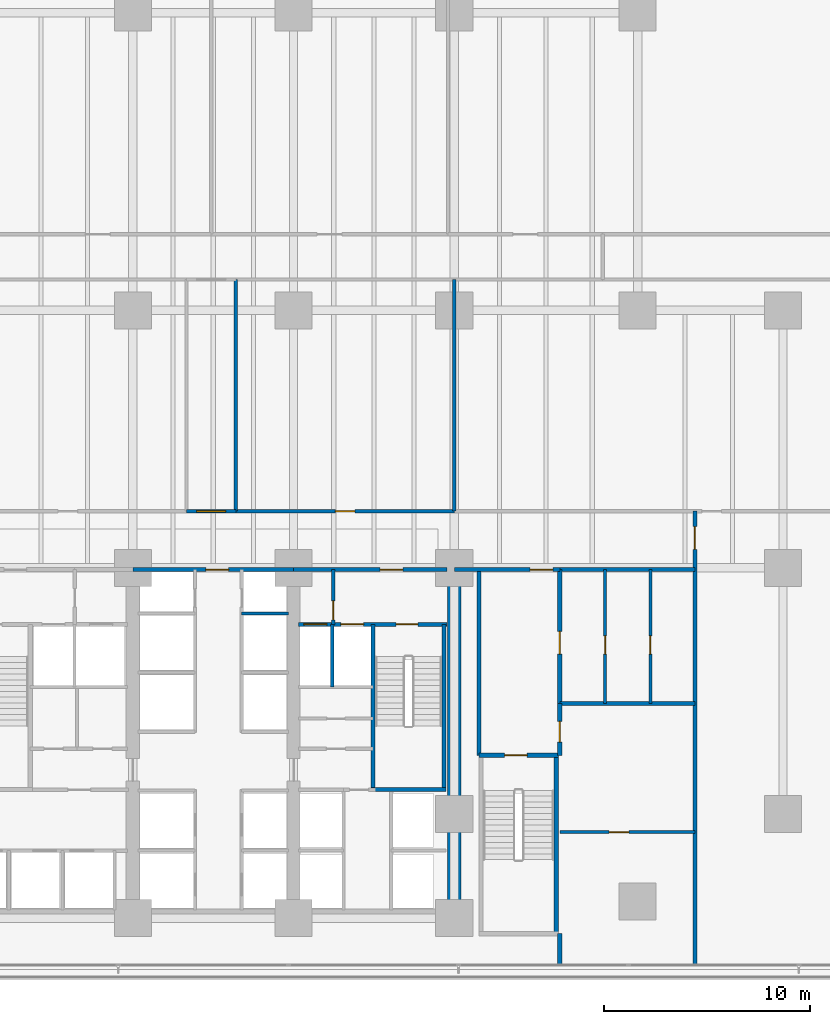
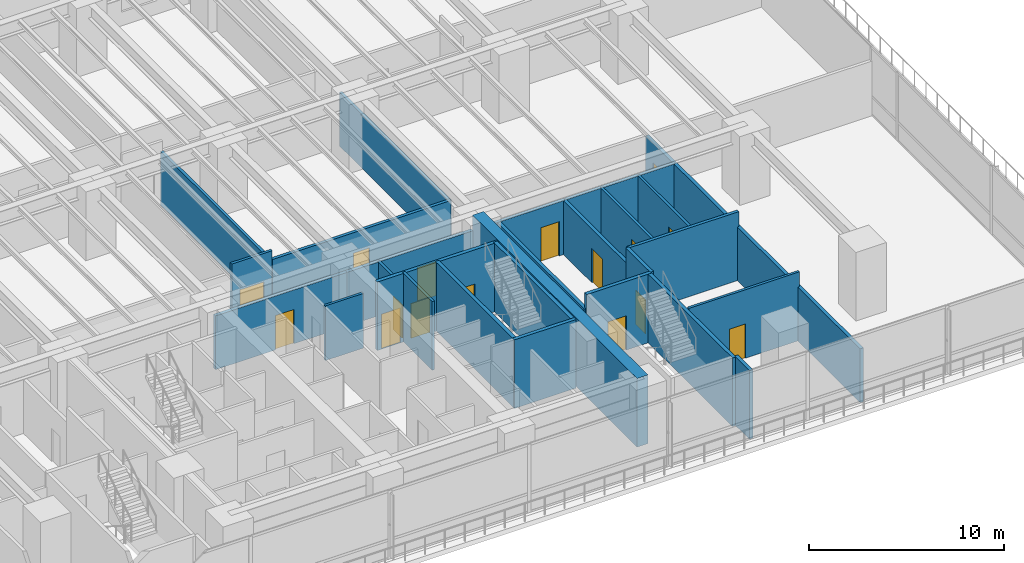
# One storey, part 11 of 24: 27 walls, 16 doors, 16 openings.
"""IFC4 building model written with IfcOpenShell, lengths in metres."""

from ifc_helpers import new_model, si_unit, direction, frame, frame_2d, origin, place, context, subcontext, project, spatial, rectangle, extrude, material, layer, layer_set, type_object, element, fill, save


model = new_model("IFC4")

# Units and contexts
model_context = context("Model", 3, precision=1e-05, world=origin(), true_north=direction((0.0, 1.0)))
body_context = subcontext(model_context, "Body", "Model", "MODEL_VIEW")
ifc_project = project(units=[si_unit("LENGTHUNIT", "METRE"), si_unit("AREAUNIT", "SQUARE_METRE"), si_unit("VOLUMEUNIT", "CUBIC_METRE"), si_unit("PLANEANGLEUNIT", "RADIAN"), si_unit("MASSUNIT", "GRAM", prefix="KILO")], contexts=[model_context])

# Site, building, storey
site_placement = place(None, origin())
site = spatial("IfcSite", under=ifc_project, at=site_placement, CompositionType="ELEMENT")
building_placement = place(site_placement, origin())
building = spatial("IfcBuilding", under=site, at=building_placement, Name="Qalmaran Belvedere Hotel", CompositionType="ELEMENT")
storey_placement = place(building_placement, frame((0.0, 0.0, 14.60009765625)))
storey = spatial("IfcBuildingStorey", under=building, at=storey_placement, Name="L03", CompositionType="ELEMENT", Elevation=14.60009765625)

# Walls
ifc_material_1 = material(Name="Concrete C60/75", Category="concrete")
ifc_layer_1 = layer(ifc_material_1, 0.64990234375, Name="Concrete C60/75")
ifc_layer_set_1 = layer_set([ifc_layer_1], Name="Concrete C60/75")
wall_type_1 = type_object("IfcWallType", Name="WL-CORE-650-C60", PredefinedType="SHEAR", material=ifc_layer_set_1)
wall_1_placement = place(storey_placement, frame((44.800048828125, 3.5, 0.0), z_axis=(0.0, 0.0, 1.0), x_axis=(0.0, 1.0, 0.0)))
element("IfcWall", 1, at=wall_1_placement, inside=storey, type_object=wall_type_1, Name="L03 East Core Shear Wall", PredefinedType="SHEAR", context=body_context, shape_type="SweptSolid", body=[
    extrude(rectangle(XDim=16.89990234375, YDim=0.64990234375, at=frame_2d((8.449951171875, 0.0))), origin(), (0.0, 0.0, 1.0), 4.2998046875),
])
ifc_material_2 = material(Name="Gypsum Stud Partition")
ifc_layer_2 = layer(ifc_material_2, 0.14990234375, Name="Gypsum Stud Partition")
ifc_layer_set_2 = layer_set([ifc_layer_2], Name="Gypsum Stud Partition")
wall_type_2 = type_object("IfcWallType", Name="WL-INT-150-EI120", PredefinedType="PARTITIONING", material=ifc_layer_set_2)
wall_2_placement = place(storey_placement, frame((38.8798828125, 14.719970703125, 0.0), z_axis=(0.0, 0.0, 1.0), x_axis=(0.0, 1.0, 0.0)))
element("IfcWall", 2, at=wall_2_placement, inside=storey, type_object=wall_type_2, Name="L03 Partition WL-FF2M-L03", PredefinedType="PARTITIONING", context=body_context, shape_type="SweptSolid", body=[
    extrude(rectangle(XDim=3.0400390625, YDim=0.14990234375, at=frame_2d((1.52001953125, 0.0))), origin(), (0.0, 0.0, 1.0), 4.2998046875),
])
wall_3_placement = place(storey_placement, frame((34.47998046875, 18.280029296875, 0.0), z_axis=(0.0, 0.0, 1.0), x_axis=(1.0, 0.0, 0.0)))
element("IfcWall", 3, at=wall_3_placement, inside=storey, type_object=wall_type_2, Name="L03 Partition WL-PME-L03-182", PredefinedType="PARTITIONING", context=body_context, shape_type="SweptSolid", body=[
    extrude(rectangle(XDim=2.27001953125, YDim=0.14990234375, at=frame_2d((1.135009765625, 0.0))), origin(), (0.0, 0.0, 1.0), 3.429931640625),
])

# Wall, opening, door
ifc_layer_3 = layer(ifc_material_2, 0.14990234375, Name="Gypsum Stud Partition")
ifc_layer_set_3 = layer_set([ifc_layer_3], Name="Gypsum Stud Partition")
wall_type_3 = type_object("IfcWallType", Name="WL-INT-150-EI60", PredefinedType="PARTITIONING", material=ifc_layer_set_3)
wall_4_placement = place(storey_placement, frame((52.1201171875, 13.919921875, 0.0), z_axis=(0.0, 0.0, 1.0), x_axis=(0.0, 1.0, 0.0)))
wall_4 = element("IfcWall", 4, at=wall_4_placement, inside=storey, type_object=wall_type_3, Name="L03 Partition WL-L03-FCCV1", PredefinedType="PARTITIONING", context=body_context, shape_type="SweptSolid", body=[
    extrude(rectangle(XDim=6.5, YDim=0.14990234375, at=frame_2d((3.25, 0.0))), origin(), (0.0, 0.0, 1.0), 3.372802734375),
])
opening_1_placement = place(wall_4_placement, frame((2.39990234375, 0.0, 0.0)))
opening_1 = element("IfcOpeningElement", 5, at=opening_1_placement, cuts=wall_4, Name="Opening FD60B", PredefinedType="OPENING", context=body_context, shape_type="SweptSolid", body=[
    extrude(rectangle(XDim=0.8798828125, YDim=2.080078125, at=frame_2d((0.43994140625, 1.0400390625))), frame((0.0, 0.0849609375, 0.0), z_axis=(0.0, -1.0, 0.0), x_axis=(1.0, 0.0, 0.0)), (0.0, 0.0, 1.0), 0.169921875),
])
ifc_material_3 = material(Name="Steel S355JR", Category="steel")
door_type_1 = type_object("IfcDoorType", Name="DR-FD60B-880X2080", OperationType="NOTDEFINED", PredefinedType="DOOR", material=ifc_material_3)
door_1_placement = place(opening_1_placement, origin())
door_1 = element("IfcDoor", 6, at=door_1_placement, inside=storey, type_object=door_type_1, Name="L03 Equipment Store Door", OperationType="SINGLE_SWING_LEFT", OverallHeight=2.080078125, OverallWidth=0.8798828125, PredefinedType="DOOR", context=body_context, shape_type="SweptSolid", body=[
    extrude(rectangle(XDim=0.8798828125, YDim=2.080078125, at=frame_2d((0.43994140625, 1.0400390625))), frame((0.0, 0.02490234375, 0.0), z_axis=(0.0, -1.0, 0.0), x_axis=(1.0, 0.0, 0.0)), (0.0, 0.0, 1.0), 0.050048828125),
])
fill(opening_1, door_1)

wall_5_placement = place(storey_placement, frame((54.320068359375, 13.919921875, 0.0), z_axis=(0.0, 0.0, 1.0), x_axis=(0.0, 1.0, 0.0)))
wall_5 = element("IfcWall", 7, at=wall_5_placement, inside=storey, type_object=wall_type_3, Name="L03 Partition WL-L03-FCCV2", PredefinedType="PARTITIONING", context=body_context, shape_type="SweptSolid", body=[
    extrude(rectangle(XDim=6.5, YDim=0.14990234375, at=frame_2d((3.25, 0.0))), origin(), (0.0, 0.0, 1.0), 3.372802734375),
])
opening_2_placement = place(wall_5_placement, frame((2.39990234375, 0.0, 0.0)))
opening_2 = element("IfcOpeningElement", 8, at=opening_2_placement, cuts=wall_5, Name="Opening FD60B", PredefinedType="OPENING", context=body_context, shape_type="SweptSolid", body=[
    extrude(rectangle(XDim=0.8798828125, YDim=2.080078125, at=frame_2d((0.43994140625, 1.0400390625))), frame((0.0, 0.0849609375, 0.0), z_axis=(0.0, -1.0, 0.0), x_axis=(1.0, 0.0, 0.0)), (0.0, 0.0, 1.0), 0.169921875),
])
door_2_placement = place(opening_2_placement, origin())
door_2 = element("IfcDoor", 9, at=door_2_placement, inside=storey, type_object=door_type_1, Name="L03 AV Store Door", OperationType="SINGLE_SWING_RIGHT", OverallHeight=2.080078125, OverallWidth=0.8798828125, PredefinedType="DOOR", context=body_context, shape_type="SweptSolid", body=[
    extrude(rectangle(XDim=0.8798828125, YDim=2.080078125, at=frame_2d((0.43994140625, 1.0400390625))), frame((0.0, 0.02490234375, 0.0), z_axis=(0.0, -1.0, 0.0), x_axis=(1.0, 0.0, 0.0)), (0.0, 0.0, 1.0), 0.050048828125),
])
fill(opening_2, door_2)

wall_6_placement = place(storey_placement, frame((49.919921875, 7.679931640625, 0.0), z_axis=(0.0, 0.0, 1.0), x_axis=(1.0, 0.0, 0.0)))
wall_6 = element("IfcWall", 10, at=wall_6_placement, inside=storey, type_object=wall_type_3, Name="L03 Partition WL-L03-KITH", PredefinedType="PARTITIONING", context=body_context, shape_type="SweptSolid", body=[
    extrude(rectangle(XDim=6.56005859375, YDim=0.14990234375, at=frame_2d((3.280029296875, 0.0))), origin(), (0.0, 0.0, 1.0), 4.2998046875),
])
opening_3_placement = place(wall_6_placement, frame((3.349853515625, 0.0, 0.0), z_axis=(0.0, 0.0, 1.0), x_axis=(-1.0, 0.0, 0.0)))
opening_3 = element("IfcOpeningElement", 11, at=opening_3_placement, cuts=wall_6, Name="Opening FD60", PredefinedType="OPENING", context=body_context, shape_type="SweptSolid", body=[
    extrude(rectangle(XDim=0.949951171875, YDim=2.14990234375, at=frame_2d((0.47509765625, 1.074951171875))), frame((0.0, 0.0849609375, 0.0), z_axis=(0.0, -1.0, 0.0), x_axis=(1.0, 0.0, 0.0)), (0.0, 0.0, 1.0), 0.169921875),
])
ifc_material_4 = material(Name="Engineered Oak Veneer")
door_type_2 = type_object("IfcDoorType", Name="DR-FD60-950X2150", OperationType="NOTDEFINED", PredefinedType="DOOR", material=ifc_material_4)
door_3_placement = place(opening_3_placement, origin())
door_3 = element("IfcDoor", 12, at=door_3_placement, inside=storey, type_object=door_type_2, Name="L03 Pastry Kitchen Door", OperationType="SINGLE_SWING_LEFT", OverallHeight=2.14990234375, OverallWidth=0.949951171875, PredefinedType="DOOR", context=body_context, shape_type="SweptSolid", body=[
    extrude(rectangle(XDim=0.949951171875, YDim=2.14990234375, at=frame_2d((0.47509765625, 1.074951171875))), frame((0.0, 0.02490234375, 0.0), z_axis=(0.0, -1.0, 0.0), x_axis=(1.0, 0.0, 0.0)), (0.0, 0.0, 1.0), 0.050048828125),
])
fill(opening_3, door_3)

ifc_layer_4 = layer(ifc_material_2, 0.159912109375, Name="Gypsum Stud Partition")
ifc_layer_set_4 = layer_set([ifc_layer_4], Name="Gypsum Stud Partition")
wall_type_4 = type_object("IfcWallType", Name="WL-INT-160-EI120", PredefinedType="PARTITIONING", material=ifc_layer_set_4)
wall_7_placement = place(storey_placement, frame((38.919921875, 17.760009765625, 0.0), z_axis=(0.0, 0.0, 1.0), x_axis=(0.0, 1.0, 0.0)))
wall_7 = element("IfcWall", 13, at=wall_7_placement, inside=storey, type_object=wall_type_4, Name="L03 Partition WL-FFSV2-L03", PredefinedType="PARTITIONING", context=body_context, shape_type="SweptSolid", body=[
    extrude(rectangle(XDim=2.659912109375, YDim=0.159912109375, at=frame_2d((1.330078125, 0.0))), origin(), (0.0, 0.0, 1.0), 3.372802734375),
])
opening_4_placement = place(wall_7_placement, frame((1.139892578125, 0.0, 0.0), z_axis=(0.0, 0.0, 1.0), x_axis=(-1.0, 0.0, 0.0)))
opening_4 = element("IfcOpeningElement", 14, at=opening_4_placement, cuts=wall_7, Name="Opening FD60S1", PredefinedType="OPENING", context=body_context, shape_type="SweptSolid", body=[
    extrude(rectangle(XDim=0.919921875, YDim=2.080078125, at=frame_2d((0.4599609375, 1.0400390625))), frame((0.0, 0.08984375, 0.0), z_axis=(0.0, -1.0, 0.0), x_axis=(1.0, 0.0, 0.0)), (0.0, 0.0, 1.0), 0.179931640625),
])
door_type_3 = type_object("IfcDoorType", Name="DR-FD60S-920X2080", OperationType="NOTDEFINED", PredefinedType="DOOR", material=ifc_material_4)
door_4_placement = place(opening_4_placement, origin())
door_4 = element("IfcDoor", 15, at=door_4_placement, inside=storey, type_object=door_type_3, Name="L03 Service Lobby East Door", OperationType="SINGLE_SWING_LEFT", OverallHeight=2.080078125, OverallWidth=0.919921875, PredefinedType="DOOR", context=body_context, shape_type="SweptSolid", body=[
    extrude(rectangle(XDim=0.919921875, YDim=2.080078125, at=frame_2d((0.4599609375, 1.0400390625))), frame((0.0, 0.02490234375, 0.0), z_axis=(0.0, -1.0, 0.0), x_axis=(1.0, 0.0, 0.0)), (0.0, 0.0, 1.0), 0.050048828125),
])
fill(opening_4, door_4)

ifc_layer_5 = layer(ifc_material_2, 0.159912109375, Name="Gypsum Stud Partition")
ifc_layer_set_5 = layer_set([ifc_layer_5], Name="Gypsum Stud Partition")
wall_type_5 = type_object("IfcWallType", Name="WL-INT-160-EI60", PredefinedType="PARTITIONING", material=ifc_layer_set_5)
wall_8_placement = place(storey_placement, frame((31.800048828125, 23.25, 0.0), z_axis=(0.0, 0.0, 1.0), x_axis=(1.0, 0.0, 0.0)))
wall_8 = element("IfcWall", 16, at=wall_8_placement, inside=storey, type_object=wall_type_5, Name="L03 Partition WL-L03-NALS", PredefinedType="PARTITIONING", context=body_context, shape_type="SweptSolid", body=[
    extrude(rectangle(XDim=2.39990234375, YDim=0.159912109375, at=frame_2d((1.199951171875, 0.0))), origin(), (0.0, 0.0, 1.0), 3.98193359375),
])
opening_5_placement = place(wall_8_placement, frame((0.5, 0.0, 0.0)))
opening_5 = element("IfcOpeningElement", 17, at=opening_5_placement, cuts=wall_8, Name="Opening FD90D", PredefinedType="OPENING", context=body_context, shape_type="SweptSolid", body=[
    extrude(rectangle(XDim=1.39990234375, YDim=2.199951171875, at=frame_2d((0.699951171875, 1.10009765625))), frame((0.0, 0.08984375, 0.0), z_axis=(0.0, -1.0, 0.0), x_axis=(1.0, 0.0, 0.0)), (0.0, 0.0, 1.0), 0.179931640625),
])
door_type_4 = type_object("IfcDoorType", Name="DR-FD90D-1400X2200", OperationType="NOTDEFINED", PredefinedType="DOOR", material=ifc_material_3)
door_5_placement = place(opening_5_placement, origin())
door_5 = element("IfcDoor", 18, at=door_5_placement, inside=storey, type_object=door_type_4, Name="L03 Atrium Link South Door", OperationType="DOUBLE_DOOR_SINGLE_SWING", OverallHeight=2.199951171875, OverallWidth=1.39990234375, PredefinedType="DOOR", context=body_context, shape_type="SweptSolid", body=[
    extrude(rectangle(XDim=1.39990234375, YDim=2.199951171875, at=frame_2d((0.699951171875, 1.10009765625))), frame((0.0, 0.02490234375, 0.0), z_axis=(0.0, -1.0, 0.0), x_axis=(1.0, 0.0, 0.0)), (0.0, 0.0, 1.0), 0.050048828125),
])
fill(opening_5, door_5)

# Walls
for number, where, z_axis, x_axis, name in (
    (19, (34.199951171875, 23.25, 0.0), (0.0, 0.0, 1.0), (0.0, 1.0, 0.0), "L03 Partition WL-L03-PMEVL"),
    (20, (44.800048828125, 23.25, 0.0), (0.0, 0.0, 1.0), (0.0, 1.0, 0.0), "L03 Partition WL-L03-PMEVR1"),
):
    element("IfcWall", number, at=place(storey_placement, frame(where, z_axis=z_axis, x_axis=x_axis)), inside=storey, type_object=wall_type_5, Name=name, PredefinedType="PARTITIONING", context=body_context, shape_type="SweptSolid", body=[
        extrude(rectangle(XDim=11.25, YDim=0.159912109375, at=frame_2d((5.625, 0.0))), origin(), (0.0, 0.0, 1.0), 3.372802734375),
    ])
ifc_layer_6 = layer(ifc_material_2, 0.179931640625, Name="Gypsum Stud Partition")
ifc_layer_set_6 = layer_set([ifc_layer_6], Name="Gypsum Stud Partition")
wall_type_6 = type_object("IfcWallType", Name="WL-INT-180-EI120", PredefinedType="PARTITIONING", material=ifc_layer_set_6)
wall_9_placement = place(storey_placement, frame((49.919921875, 13.919921875, 0.0), z_axis=(0.0, 0.0, 1.0), x_axis=(1.0, 0.0, 0.0)))
element("IfcWall", 21, at=wall_9_placement, inside=storey, type_object=wall_type_6, Name="L03 Partition WL-L03-FCCH", PredefinedType="PARTITIONING", context=body_context, shape_type="SweptSolid", body=[
    extrude(rectangle(XDim=6.56005859375, YDim=0.179931640625, at=frame_2d((3.280029296875, 0.0))), origin(), (0.0, 0.0, 1.0), 4.2998046875),
])

# Wall, opening, door
ifc_layer_7 = layer(ifc_material_2, 0.179931640625, Name="Gypsum Stud Partition")
ifc_layer_set_7 = layer_set([ifc_layer_7], Name="Gypsum Stud Partition")
wall_type_7 = type_object("IfcWallType", Name="WL-INT-180-EI60", PredefinedType="PARTITIONING", material=ifc_layer_set_7)
wall_10_placement = place(storey_placement, frame((34.199951171875, 23.25, 0.0), z_axis=(0.0, 0.0, 1.0), x_axis=(1.0, 0.0, 0.0)))
wall_10 = element("IfcWall", 22, at=wall_10_placement, inside=storey, type_object=wall_type_7, Name="L03 Partition WL-L03-PMED1", PredefinedType="PARTITIONING", context=body_context, shape_type="SweptSolid", body=[
    extrude(rectangle(XDim=10.60009765625, YDim=0.179931640625, at=frame_2d((5.300048828125, 0.0))), origin(), (0.0, 0.0, 1.0), 3.429931640625),
])
opening_6_placement = place(wall_10_placement, frame((4.824951171875, 0.0, 0.0)))
opening_6 = element("IfcOpeningElement", 23, at=opening_6_placement, cuts=wall_10, Name="Opening FD60", PredefinedType="OPENING", context=body_context, shape_type="SweptSolid", body=[
    extrude(rectangle(XDim=0.949951171875, YDim=2.14990234375, at=frame_2d((0.47509765625, 1.074951171875))), frame((0.0, 0.10009765625, 0.0), z_axis=(0.0, -1.0, 0.0), x_axis=(1.0, 0.0, 0.0)), (0.0, 0.0, 1.0), 0.199951171875),
])
door_6_placement = place(opening_6_placement, origin())
door_6 = element("IfcDoor", 24, at=door_6_placement, inside=storey, type_object=door_type_2, Name="L03 Diplomatic Banquet Hall Door", OperationType="SINGLE_SWING_RIGHT", OverallHeight=2.14990234375, OverallWidth=0.949951171875, PredefinedType="DOOR", context=body_context, shape_type="SweptSolid", body=[
    extrude(rectangle(XDim=0.949951171875, YDim=2.14990234375, at=frame_2d((0.47509765625, 1.074951171875))), frame((0.0, 0.02490234375, 0.0), z_axis=(0.0, -1.0, 0.0), x_axis=(1.0, 0.0, 0.0)), (0.0, 0.0, 1.0), 0.050048828125),
])
fill(opening_6, door_6)

ifc_material_5 = material(Name="Concrete C30/37 Blockwork", Category="masonry")
ifc_layer_8 = layer(ifc_material_5, 0.199951171875, Name="Concrete C30/37 Blockwork")
ifc_layer_set_8 = layer_set([ifc_layer_8], Name="Concrete C30/37 Blockwork")
wall_type_8 = type_object("IfcWallType", Name="WL-INT-200-EI120", PredefinedType="PARTITIONING", material=ifc_layer_set_8)
wall_11_placement = place(storey_placement, frame((29.199951171875, 20.419921875, 0.0), z_axis=(0.0, 0.0, 1.0), x_axis=(1.0, 0.0, 0.0)))
wall_11 = element("IfcWall", 25, at=wall_11_placement, inside=storey, type_object=wall_type_8, Name="L03 Partition WL-CN2-L03", PredefinedType="PARTITIONING", context=body_context, shape_type="SweptSolid", body=[
    extrude(rectangle(XDim=7.800048828125, YDim=0.199951171875, at=frame_2d((3.89990234375, 0.0))), origin(), (0.0, 0.0, 1.0), 3.372802734375),
])
opening_7_placement = place(wall_11_placement, frame((3.550048828125, 0.0, 0.0)))
opening_7 = element("IfcOpeningElement", 26, at=opening_7_placement, cuts=wall_11, Name="Opening FD90", PredefinedType="OPENING", context=body_context, shape_type="SweptSolid", body=[
    extrude(rectangle(XDim=1.10009765625, YDim=2.14990234375, at=frame_2d((0.550048828125, 1.074951171875))), frame((0.0, 0.10986328125, 0.0), z_axis=(0.0, -1.0, 0.0), x_axis=(1.0, 0.0, 0.0)), (0.0, 0.0, 1.0), 0.219970703125),
])
door_type_5 = type_object("IfcDoorType", Name="DR-FD90-1100X2150", OperationType="NOTDEFINED", PredefinedType="DOOR", material=ifc_material_3)
door_7_placement = place(opening_7_placement, origin())
door_7 = element("IfcDoor", 27, at=door_7_placement, inside=storey, type_object=door_type_5, Name="L03 Central Lift Lobby Door", OperationType="SINGLE_SWING_LEFT", OverallHeight=2.14990234375, OverallWidth=1.10009765625, PredefinedType="DOOR", context=body_context, shape_type="SweptSolid", body=[
    extrude(rectangle(XDim=1.10009765625, YDim=2.14990234375, at=frame_2d((0.550048828125, 1.074951171875))), frame((0.0, 0.02490234375, 0.0), z_axis=(0.0, -1.0, 0.0), x_axis=(1.0, 0.0, 0.0)), (0.0, 0.0, 1.0), 0.050048828125),
])
fill(opening_7, door_7)

wall_12_placement = place(storey_placement, frame((37.0, 20.419921875, 0.0), z_axis=(0.0, 0.0, 1.0), x_axis=(1.0, 0.0, 0.0)))
wall_12 = element("IfcWall", 28, at=wall_12_placement, inside=storey, type_object=wall_type_8, Name="L03 Partition WL-CN3-L03", PredefinedType="PARTITIONING", context=body_context, shape_type="SweptSolid", body=[
    extrude(rectangle(XDim=7.449951171875, YDim=0.199951171875, at=frame_2d((3.72509765625, 0.0))), origin(), (0.0, 0.0, 1.0), 3.372802734375),
])
opening_8_placement = place(wall_12_placement, frame((4.199951171875, 0.0, 0.0)))
opening_8 = element("IfcOpeningElement", 29, at=opening_8_placement, cuts=wall_12, Name="Opening FD90", PredefinedType="OPENING", context=body_context, shape_type="SweptSolid", body=[
    extrude(rectangle(XDim=1.10009765625, YDim=2.14990234375, at=frame_2d((0.550048828125, 1.074951171875))), frame((0.0, 0.10986328125, 0.0), z_axis=(0.0, -1.0, 0.0), x_axis=(1.0, 0.0, 0.0)), (0.0, 0.0, 1.0), 0.219970703125),
])
door_8_placement = place(opening_8_placement, origin())
door_8 = element("IfcDoor", 30, at=door_8_placement, inside=storey, type_object=door_type_5, Name="L03 FF2 Lobby Corridor Door", OperationType="SINGLE_SWING_RIGHT", OverallHeight=2.14990234375, OverallWidth=1.10009765625, PredefinedType="DOOR", context=body_context, shape_type="SweptSolid", body=[
    extrude(rectangle(XDim=1.10009765625, YDim=2.14990234375, at=frame_2d((0.550048828125, 1.074951171875))), frame((0.0, 0.02490234375, 0.0), z_axis=(0.0, -1.0, 0.0), x_axis=(1.0, 0.0, 0.0)), (0.0, 0.0, 1.0), 0.050048828125),
])
fill(opening_8, door_8)

# Wall
wall_13_placement = place(storey_placement, frame((46.0, 11.39990234375, 0.0), z_axis=(0.0, 0.0, 1.0), x_axis=(0.0, 1.0, 0.0)))
element("IfcWall", 31, at=wall_13_placement, inside=storey, type_object=wall_type_8, Name="L03 Partition WL-L03-STPE1", PredefinedType="PARTITIONING", context=body_context, shape_type="SweptSolid", body=[
    extrude(rectangle(XDim=9.02001953125, YDim=0.199951171875, at=frame_2d((4.510009765625, 0.0))), origin(), (0.0, 0.0, 1.0), 3.372802734375),
])

# Wall, opening, door
wall_14_placement = place(storey_placement, frame((49.919921875, 11.39990234375, 0.0), z_axis=(0.0, 0.0, 1.0), x_axis=(0.0, 1.0, 0.0)))
wall_14 = element("IfcWall", 32, at=wall_14_placement, inside=storey, type_object=wall_type_8, Name="L03 Partition WL-L03-STPE2A", PredefinedType="PARTITIONING", context=body_context, shape_type="SweptSolid", body=[
    extrude(rectangle(XDim=2.52001953125, YDim=0.199951171875, at=frame_2d((1.260009765625, 0.0))), origin(), (0.0, 0.0, 1.0), 4.2998046875),
])
opening_9_placement = place(wall_14_placement, frame((1.64990234375, 0.0, 0.0), z_axis=(0.0, 0.0, 1.0), x_axis=(-1.0, 0.0, 0.0)))
opening_9 = element("IfcOpeningElement", 33, at=opening_9_placement, cuts=wall_14, Name="Opening FD90B", PredefinedType="OPENING", context=body_context, shape_type="SweptSolid", body=[
    extrude(rectangle(XDim=1.0, YDim=2.14990234375, at=frame_2d((0.5, 1.074951171875))), frame((0.0, 0.10986328125, 0.0), z_axis=(0.0, -1.0, 0.0), x_axis=(1.0, 0.0, 0.0)), (0.0, 0.0, 1.0), 0.219970703125),
])
door_type_6 = type_object("IfcDoorType", Name="DR-FD90B-1000X2150", OperationType="NOTDEFINED", PredefinedType="DOOR", material=ifc_material_3)
door_9_placement = place(opening_9_placement, origin())
door_9 = element("IfcDoor", 34, at=door_9_placement, inside=storey, type_object=door_type_6, Name="L03 Kitchen Door", OperationType="SINGLE_SWING_RIGHT", OverallHeight=2.14990234375, OverallWidth=1.0, PredefinedType="DOOR", context=body_context, shape_type="SweptSolid", body=[
    extrude(rectangle(XDim=1.0, YDim=2.14990234375, at=frame_2d((0.5, 1.074951171875))), frame((0.0, 0.02490234375, 0.0), z_axis=(0.0, -1.0, 0.0), x_axis=(1.0, 0.0, 0.0)), (0.0, 0.0, 1.0), 0.050048828125),
])
fill(opening_9, door_9)

wall_15_placement = place(storey_placement, frame((49.919921875, 13.919921875, 0.0), z_axis=(0.0, 0.0, 1.0), x_axis=(0.0, 1.0, 0.0)))
wall_15 = element("IfcWall", 35, at=wall_15_placement, inside=storey, type_object=wall_type_8, Name="L03 Partition WL-L03-STPE2B", PredefinedType="PARTITIONING", context=body_context, shape_type="SweptSolid", body=[
    extrude(rectangle(XDim=6.5, YDim=0.199951171875, at=frame_2d((3.25, 0.0))), origin(), (0.0, 0.0, 1.0), 3.372802734375),
])
opening_10_placement = place(wall_15_placement, frame((3.5, 0.0, 0.0), z_axis=(0.0, 0.0, 1.0), x_axis=(-1.0, 0.0, 0.0)))
opening_10 = element("IfcOpeningElement", 36, at=opening_10_placement, cuts=wall_15, Name="Opening FD90", PredefinedType="OPENING", context=body_context, shape_type="SweptSolid", body=[
    extrude(rectangle(XDim=1.10009765625, YDim=2.14990234375, at=frame_2d((0.550048828125, 1.074951171875))), frame((0.0, 0.10986328125, 0.0), z_axis=(0.0, -1.0, 0.0), x_axis=(1.0, 0.0, 0.0)), (0.0, 0.0, 1.0), 0.219970703125),
])
door_10_placement = place(opening_10_placement, origin())
door_10 = element("IfcDoor", 37, at=door_10_placement, inside=storey, type_object=door_type_5, Name="L03 Fire Command Door", OperationType="SINGLE_SWING_LEFT", OverallHeight=2.14990234375, OverallWidth=1.10009765625, PredefinedType="DOOR", context=body_context, shape_type="SweptSolid", body=[
    extrude(rectangle(XDim=1.10009765625, YDim=2.14990234375, at=frame_2d((0.550048828125, 1.074951171875))), frame((0.0, 0.02490234375, 0.0), z_axis=(0.0, -1.0, 0.0), x_axis=(1.0, 0.0, 0.0)), (0.0, 0.0, 1.0), 0.050048828125),
])
fill(opening_10, door_10)

# Wall
wall_16_placement = place(storey_placement, frame((49.919921875, 1.219970703125, 0.0), z_axis=(0.0, 0.0, 1.0), x_axis=(0.0, 1.0, 0.0)))
element("IfcWall", 38, at=wall_16_placement, inside=storey, type_object=wall_type_8, Name="L03 Partition WL-L03-STPE2S", PredefinedType="PARTITIONING", context=body_context, shape_type="SweptSolid", body=[
    extrude(rectangle(XDim=1.530029296875, YDim=0.199951171875, at=frame_2d((0.76513671875, 0.0))), origin(), (0.0, 0.0, 1.0), 4.2998046875),
])

# Wall, opening, door
wall_17_placement = place(storey_placement, frame((44.800048828125, 20.419921875, 0.0), z_axis=(0.0, 0.0, 1.0), x_axis=(1.0, 0.0, 0.0)))
wall_17 = element("IfcWall", 39, at=wall_17_placement, inside=storey, type_object=wall_type_8, Name="L03 Partition WL-L03-CSE", PredefinedType="PARTITIONING", context=body_context, shape_type="SweptSolid", body=[
    extrude(rectangle(XDim=5.119873046875, YDim=0.199951171875, at=frame_2d((2.56005859375, 0.0))), origin(), (0.0, 0.0, 1.0), 3.372802734375),
])
opening_11_placement = place(wall_17_placement, frame((4.78076171875, 0.0, 0.0), z_axis=(0.0, 0.0, 1.0), x_axis=(-1.0, 0.0, 0.0)))
opening_11 = element("IfcOpeningElement", 40, at=opening_11_placement, cuts=wall_17, Name="Opening FD90", PredefinedType="OPENING", context=body_context, shape_type="SweptSolid", body=[
    extrude(rectangle(XDim=1.10009765625, YDim=2.14990234375, at=frame_2d((0.550048828125, 1.074951171875))), frame((0.0, 0.10986328125, 0.0), z_axis=(0.0, -1.0, 0.0), x_axis=(1.0, 0.0, 0.0)), (0.0, 0.0, 1.0), 0.219970703125),
])
door_11_placement = place(opening_11_placement, origin())
door_11 = element("IfcDoor", 41, at=door_11_placement, inside=storey, type_object=door_type_5, Name="L03 East Stair Corridor Door", OperationType="SINGLE_SWING_RIGHT", OverallHeight=2.14990234375, OverallWidth=1.10009765625, PredefinedType="DOOR", context=body_context, shape_type="SweptSolid", body=[
    extrude(rectangle(XDim=1.10009765625, YDim=2.14990234375, at=frame_2d((0.550048828125, 1.074951171875))), frame((0.0, 0.02490234375, 0.0), z_axis=(0.0, -1.0, 0.0), x_axis=(1.0, 0.0, 0.0)), (0.0, 0.0, 1.0), 0.050048828125),
])
fill(opening_11, door_11)

# Wall
wall_18_placement = place(storey_placement, frame((49.919921875, 20.419921875, 0.0), z_axis=(0.0, 0.0, 1.0), x_axis=(1.0, 0.0, 0.0)))
element("IfcWall", 42, at=wall_18_placement, inside=storey, type_object=wall_type_8, Name="L03 Partition WL-L03-CSEN", PredefinedType="PARTITIONING", context=body_context, shape_type="SweptSolid", body=[
    extrude(rectangle(XDim=6.56005859375, YDim=0.199951171875, at=frame_2d((3.280029296875, 0.0))), origin(), (0.0, 0.0, 1.0), 3.372802734375),
])

# Wall, opening, door
wall_19_placement = place(storey_placement, frame((56.47998046875, 1.219970703125, 0.0), z_axis=(0.0, 0.0, 1.0), x_axis=(0.0, 1.0, 0.0)))
wall_19 = element("IfcWall", 43, at=wall_19_placement, inside=storey, type_object=wall_type_8, Name="L03 Partition WL-L03-FCCE", PredefinedType="PARTITIONING", context=body_context, shape_type="SweptSolid", body=[
    extrude(rectangle(XDim=22.030029296875, YDim=0.199951171875, at=frame_2d((11.01513671875, 0.0))), origin(), (0.0, 0.0, 1.0), 3.372802734375),
])
opening_12_placement = place(wall_19_placement, frame((21.280029296875, 0.0, 0.0), z_axis=(0.0, 0.0, 1.0), x_axis=(-1.0, 0.0, 0.0)))
opening_12 = element("IfcOpeningElement", 44, at=opening_12_placement, cuts=wall_19, Name="Opening FD90", PredefinedType="OPENING", context=body_context, shape_type="SweptSolid", body=[
    extrude(rectangle(XDim=1.10009765625, YDim=2.14990234375, at=frame_2d((0.550048828125, 1.074951171875))), frame((0.0, 0.10986328125, 0.0), z_axis=(0.0, -1.0, 0.0), x_axis=(1.0, 0.0, 0.0)), (0.0, 0.0, 1.0), 0.219970703125),
])
door_12_placement = place(opening_12_placement, origin())
door_12 = element("IfcDoor", 45, at=door_12_placement, inside=storey, type_object=door_type_5, Name="L03 East Wing Door", OperationType="SINGLE_SWING_LEFT", OverallHeight=2.14990234375, OverallWidth=1.10009765625, PredefinedType="DOOR", context=body_context, shape_type="SweptSolid", body=[
    extrude(rectangle(XDim=1.10009765625, YDim=2.14990234375, at=frame_2d((0.550048828125, 1.074951171875))), frame((0.0, 0.02490234375, 0.0), z_axis=(0.0, -1.0, 0.0), x_axis=(1.0, 0.0, 0.0)), (0.0, 0.0, 1.0), 0.050048828125),
])
fill(opening_12, door_12)

# Walls
ifc_material_6 = material(Name="Concrete C50/60", Category="concrete")
ifc_layer_9 = layer(ifc_material_6, 0.2099609375, Name="Concrete C50/60")
ifc_layer_set_9 = layer_set([ifc_layer_9], Name="Concrete C50/60")
wall_type_9 = type_object("IfcWallType", Name="WL-STAIR-210-C50", PredefinedType="SHEAR", material=ifc_layer_set_9)
for number, where, z_axis, x_axis, name in (
    (46, (40.85498046875, 9.7451171875, 0.0), (0.0, 0.0, 1.0), (0.0, 1.0, 0.0), "L03 Stair ST-2 West Bearing Wall"),
    (47, (44.304931640625, 9.7451171875, 0.0), (0.0, 0.0, 1.0), (0.0, 1.0, 0.0), "L03 Stair ST-2 East Bearing Wall"),
):
    element("IfcWall", number, at=place(storey_placement, frame(where, z_axis=z_axis, x_axis=x_axis)), inside=storey, type_object=wall_type_9, Name=name, PredefinedType="SHEAR", context=body_context, shape_type="SweptSolid", body=[
        extrude(rectangle(XDim=8.009765625, YDim=0.2099609375, at=frame_2d((4.0048828125, 0.0))), origin(), (0.0, 0.0, 1.0), 4.2998046875),
    ])
wall_20_placement = place(storey_placement, frame((40.75, 9.7451171875, 0.0), z_axis=(0.0, 0.0, 1.0), x_axis=(1.0, 0.0, 0.0)))
element("IfcWall", 48, at=wall_20_placement, inside=storey, type_object=wall_type_9, Name="L03 Stair ST-2 South Bearing Wall", PredefinedType="SHEAR", context=body_context, shape_type="SweptSolid", body=[
    extrude(rectangle(XDim=3.659912109375, YDim=0.2099609375, at=frame_2d((1.830078125, 0.0))), origin(), (0.0, 0.0, 1.0), 4.2998046875),
])

# Wall, openings, doors
wall_21_placement = place(storey_placement, frame((37.25, 17.7548828125, 0.0), z_axis=(0.0, 0.0, 1.0), x_axis=(1.0, 0.0, 0.0)))
wall_21 = element("IfcWall", 49, at=wall_21_placement, inside=storey, type_object=wall_type_9, Name="L03 East Lobby and Stair ST-2 North Bearing Wall", PredefinedType="SHEAR", context=body_context, shape_type="SweptSolid", body=[
    extrude(rectangle(XDim=7.199951171875, YDim=0.2099609375, at=frame_2d((3.60009765625, 0.0))), origin(), (0.0, 0.0, 1.0), 4.2998046875),
])
opening_13_placement = place(wall_21_placement, frame((0.25, 0.0, 0.0)))
opening_13 = element("IfcOpeningElement", 50, at=opening_13_placement, cuts=wall_21, Name="Opening LD-SV", PredefinedType="OPENING", context=body_context, shape_type="SweptSolid", body=[
    extrude(rectangle(XDim=1.1201171875, YDim=2.199951171875, at=frame_2d((0.56005859375, 1.10009765625))), frame((0.0, 0.114990234375, 0.0), z_axis=(0.0, -1.0, 0.0), x_axis=(1.0, 0.0, 0.0)), (0.0, 0.0, 1.0), 0.22998046875),
])
opening_14_placement = place(wall_21_placement, frame((2.050048828125, 0.0, 0.0)))
opening_14 = element("IfcOpeningElement", 51, at=opening_14_placement, cuts=wall_21, Name="Opening LD-FF", PredefinedType="OPENING", context=body_context, shape_type="SweptSolid", body=[
    extrude(rectangle(XDim=1.10009765625, YDim=2.179931640625, at=frame_2d((0.550048828125, 1.08984375))), frame((0.0, 0.114990234375, 0.0), z_axis=(0.0, -1.0, 0.0), x_axis=(1.0, 0.0, 0.0)), (0.0, 0.0, 1.0), 0.22998046875),
])
opening_15_placement = place(wall_21_placement, frame((5.780029296875, 0.0, 0.0), z_axis=(0.0, 0.0, 1.0), x_axis=(-1.0, 0.0, 0.0)))
opening_15 = element("IfcOpeningElement", 52, at=opening_15_placement, cuts=wall_21, Name="Opening FD90S2", PredefinedType="OPENING", context=body_context, shape_type="SweptSolid", body=[
    extrude(rectangle(XDim=1.050048828125, YDim=2.14990234375, at=frame_2d((0.52490234375, 1.074951171875))), frame((0.0, 0.114990234375, 0.0), z_axis=(0.0, -1.0, 0.0), x_axis=(1.0, 0.0, 0.0)), (0.0, 0.0, 1.0), 0.22998046875),
])
door_type_7 = type_object("IfcDoorType", Name="DR-FD90S-1050X2150", OperationType="NOTDEFINED", PredefinedType="DOOR", material=ifc_material_3)
door_13_placement = place(opening_15_placement, origin())
door_13 = element("IfcDoor", 53, at=door_13_placement, inside=storey, type_object=door_type_7, Name="L03 Stair ST-2 Door", OperationType="SINGLE_SWING_LEFT", OverallHeight=2.14990234375, OverallWidth=1.050048828125, PredefinedType="DOOR", context=body_context, shape_type="SweptSolid", body=[
    extrude(rectangle(XDim=1.050048828125, YDim=2.14990234375, at=frame_2d((0.52490234375, 1.074951171875))), frame((0.0, 0.02490234375, 0.0), z_axis=(0.0, -1.0, 0.0), x_axis=(1.0, 0.0, 0.0)), (0.0, 0.0, 1.0), 0.050048828125),
])
fill(opening_15, door_13)
ifc_material_7 = material(Name="Stainless Steel 1.4401", Category="steel")
door_type_8 = type_object("IfcDoorType", Name="DR-LIFT-FF-1100X2180", OperationType="DOUBLE_DOOR_SLIDING", PredefinedType="DOOR", material=ifc_material_7)
door_14_placement = place(opening_14_placement, origin())
door_14 = element("IfcDoor", 54, at=door_14_placement, inside=storey, type_object=door_type_8, Name="L03 FF2 Lift Landing Door", OperationType="DOUBLE_DOOR_SLIDING", OverallHeight=2.179931640625, OverallWidth=1.10009765625, PredefinedType="DOOR", context=body_context, shape_type="SweptSolid", body=[
    extrude(rectangle(XDim=1.10009765625, YDim=2.179931640625, at=frame_2d((0.550048828125, 1.08984375))), frame((0.0, 0.02490234375, 0.0), z_axis=(0.0, -1.0, 0.0), x_axis=(1.0, 0.0, 0.0)), (0.0, 0.0, 1.0), 0.050048828125),
])
fill(opening_14, door_14)
door_type_9 = type_object("IfcDoorType", Name="DR-LIFT-SV-1120X2200", OperationType="DOUBLE_DOOR_SLIDING", PredefinedType="DOOR", material=ifc_material_7)
door_15_placement = place(opening_13_placement, origin())
door_15 = element("IfcDoor", 55, at=door_15_placement, inside=storey, type_object=door_type_9, Name="L03 SV2 Lift Landing Door", OperationType="DOUBLE_DOOR_SLIDING", OverallHeight=2.199951171875, OverallWidth=1.1201171875, PredefinedType="DOOR", context=body_context, shape_type="SweptSolid", body=[
    extrude(rectangle(XDim=1.1201171875, YDim=2.199951171875, at=frame_2d((0.56005859375, 1.10009765625))), frame((0.0, 0.02490234375, 0.0), z_axis=(0.0, -1.0, 0.0), x_axis=(1.0, 0.0, 0.0)), (0.0, 0.0, 1.0), 0.050048828125),
])
fill(opening_13, door_15)

# Wall
wall_22_placement = place(storey_placement, frame((49.7451171875, 2.639892578125, 0.0), z_axis=(0.0, 0.0, 1.0), x_axis=(0.0, 1.0, 0.0)))
element("IfcWall", 56, at=wall_22_placement, inside=storey, type_object=wall_type_9, Name="L03 Podium Stair STP2 East Bearing Wall", PredefinedType="SHEAR", context=body_context, shape_type="SweptSolid", body=[
    extrude(rectangle(XDim=8.8701171875, YDim=0.2099609375, at=frame_2d((4.43505859375, 0.0))), origin(), (0.0, 0.0, 1.0), 4.2998046875),
])

# Wall, opening, door
wall_23_placement = place(storey_placement, frame((45.989990234375, 11.405029296875, 0.0), z_axis=(0.0, 0.0, 1.0), x_axis=(1.0, 0.0, 0.0)))
wall_23 = element("IfcWall", 57, at=wall_23_placement, inside=storey, type_object=wall_type_9, Name="L03 Podium Stair STP2 North Bearing Wall", PredefinedType="SHEAR", context=body_context, shape_type="SweptSolid", body=[
    extrude(rectangle(XDim=3.860107421875, YDim=0.2099609375, at=frame_2d((1.93017578125, 0.0))), origin(), (0.0, 0.0, 1.0), 4.2998046875),
])
opening_16_placement = place(wall_23_placement, frame((2.35009765625, 0.0, 0.0), z_axis=(0.0, 0.0, 1.0), x_axis=(-1.0, 0.0, 0.0)))
opening_16 = element("IfcOpeningElement", 58, at=opening_16_placement, cuts=wall_23, Name="Opening FD90", PredefinedType="OPENING", context=body_context, shape_type="SweptSolid", body=[
    extrude(rectangle(XDim=1.10009765625, YDim=2.14990234375, at=frame_2d((0.550048828125, 1.074951171875))), frame((0.0, 0.114990234375, 0.0), z_axis=(0.0, -1.0, 0.0), x_axis=(1.0, 0.0, 0.0)), (0.0, 0.0, 1.0), 0.22998046875),
])
door_16_placement = place(opening_16_placement, origin())
door_16 = element("IfcDoor", 59, at=door_16_placement, inside=storey, type_object=door_type_5, Name="L03 Stair ST-P2 Door", OperationType="SINGLE_SWING_LEFT", OverallHeight=2.14990234375, OverallWidth=1.10009765625, PredefinedType="DOOR", context=body_context, shape_type="SweptSolid", body=[
    extrude(rectangle(XDim=1.10009765625, YDim=2.14990234375, at=frame_2d((0.550048828125, 1.074951171875))), frame((0.0, 0.02490234375, 0.0), z_axis=(0.0, -1.0, 0.0), x_axis=(1.0, 0.0, 0.0)), (0.0, 0.0, 1.0), 0.050048828125),
])
fill(opening_16, door_16)

save(model, "model.ifc")
